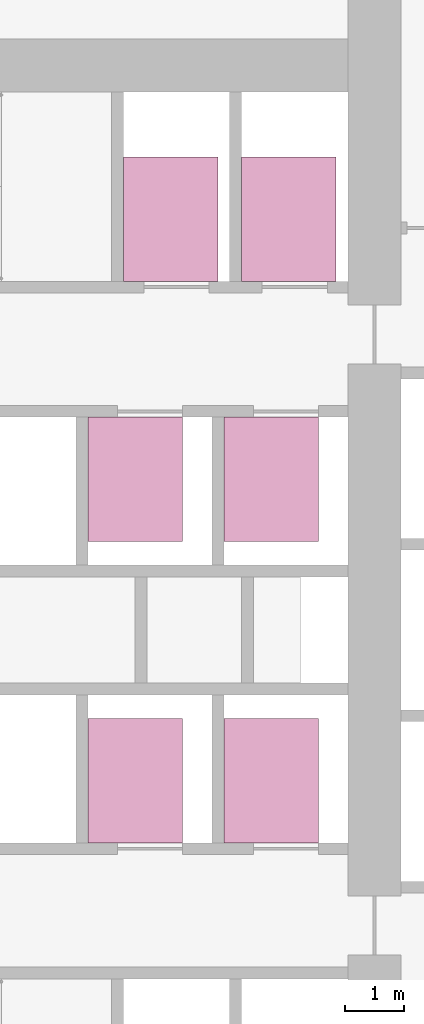
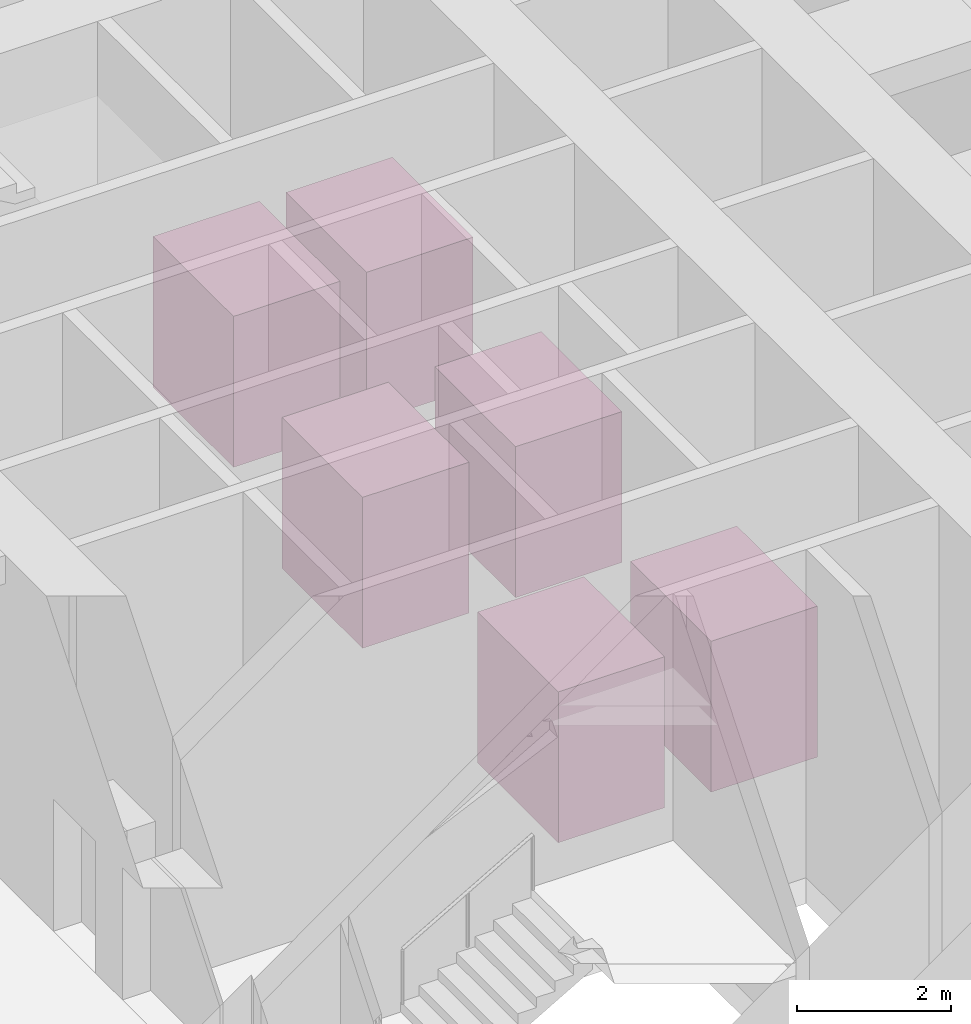
# One storey, part 17 of 17: 6 transport elements.
"""IFC4 building model written with IfcOpenShell, lengths in metres."""

from ifc_helpers import new_model, si_unit, direction, frame, origin, origin_2d, place, context, subcontext, project, spatial, rectangle, extrude, material, type_object, element, save


model = new_model("IFC4")

# Units and contexts
model_context = context("Model", 3, precision=1e-05, world=origin(), true_north=direction((0.0, 1.0)))
body_context = subcontext(model_context, "Body", "Model", "MODEL_VIEW")
ifc_project = project(units=[si_unit("LENGTHUNIT", "METRE"), si_unit("AREAUNIT", "SQUARE_METRE"), si_unit("VOLUMEUNIT", "CUBIC_METRE"), si_unit("PLANEANGLEUNIT", "RADIAN"), si_unit("MASSUNIT", "GRAM", prefix="KILO")], contexts=[model_context])

# Site, building, storey
site_placement = place(None, origin())
site = spatial("IfcSite", under=ifc_project, at=site_placement, CompositionType="ELEMENT")
building_placement = place(site_placement, origin())
building = spatial("IfcBuilding", under=site, at=building_placement, Name="Taillehof Tower", CompositionType="ELEMENT")
storey_placement = place(building_placement, frame((0.0, 0.0, 139.60009765625)))
storey = spatial("IfcBuildingStorey", under=building, at=storey_placement, Name="L39", CompositionType="ELEMENT", Elevation=139.60009765625)

# Transport elements
ifc_material = material(Name="Stainless steel", Category="steel")
transport_element_type = type_object("IfcTransportElementType", Name="Lift HR 1600 kg car 1600x2100", PredefinedType="ELEVATOR", material=ifc_material)
for number, where, z_axis, x_axis, name in (
    (1, (12.10009765625, 6.949951171875, 0.0), (0.0, 0.0, 1.0), (1.0, 0.0, 0.0), "Lift HR1"),
    (2, (14.10009765625, 6.949951171875, 0.0), (0.0, 0.0, 1.0), (1.0, 0.0, 0.0), "Lift HR2"),
    (3, (11.5, 2.550048828125, 0.0), (0.0, 0.0, 1.0), (1.0, 0.0, 0.0), "Lift HR3"),
    (4, (13.800048828125, 2.550048828125, 0.0), (0.0, 0.0, 1.0), (1.0, 0.0, 0.0), "Lift HR4"),
    (5, (11.5, -2.550048828125, 0.0), (0.0, 0.0, 1.0), (1.0, 0.0, 0.0), "Lift HR5"),
    (6, (13.800048828125, -2.550048828125, 0.0), (0.0, 0.0, 1.0), (1.0, 0.0, 0.0), "Lift HR6"),
):
    element("IfcTransportElement", number, at=place(storey_placement, frame(where, z_axis=z_axis, x_axis=x_axis)), inside=storey, type_object=transport_element_type, Name=name, PredefinedType="ELEVATOR", context=body_context, shape_type="SweptSolid", body=[
        extrude(rectangle(XDim=1.60009765625, YDim=2.10009765625, at=origin_2d()), origin(), (0.0, 0.0, 1.0), 2.39990234375),
    ])

save(model, "model.ifc")
